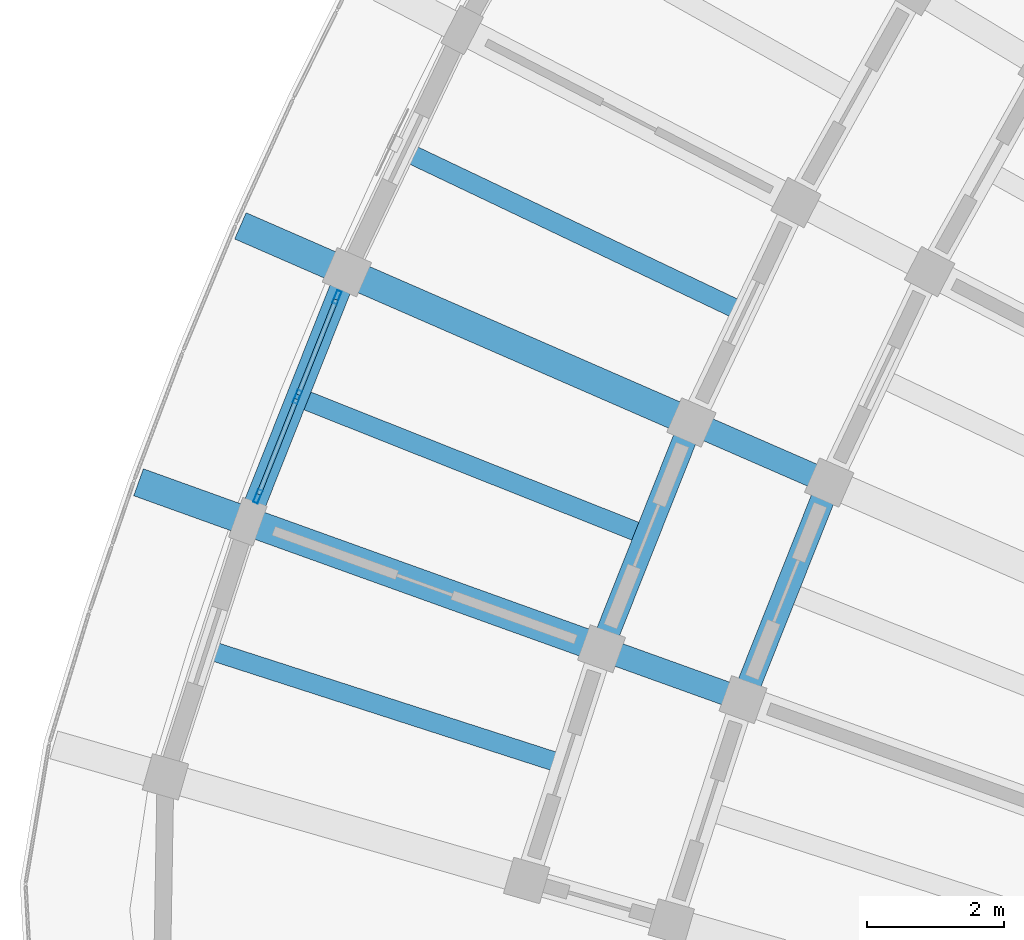
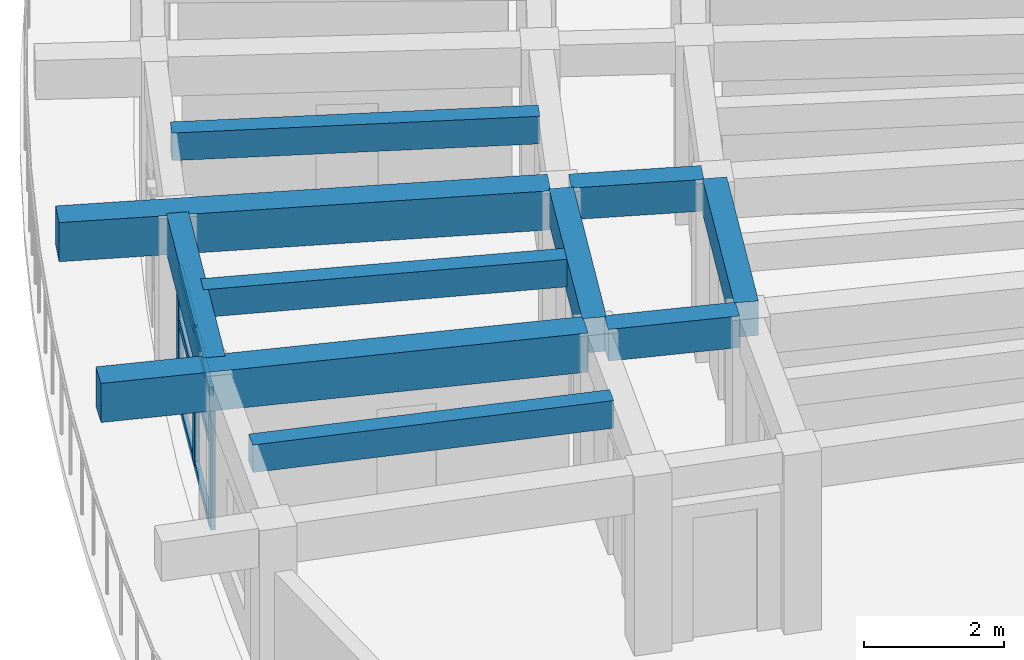
# One storey, part 9 of 81: 10 beams, 9 members, 1 element without a shape of its own.
"""IFC4 building model written with IfcOpenShell, lengths in metres."""

from ifc_helpers import new_model, si_unit, direction, frame, origin, origin_2d, place, context, subcontext, project, spatial, rectangle, hollow_rectangle, extrude, material, material_profile, profile_set, type_object, element, aggregate, save


model = new_model("IFC4")

# Units and contexts
model_context = context("Model", 3, precision=1e-05, world=origin(), true_north=direction((0.0, 1.0)))
body_context = subcontext(model_context, "Body", "Model", "MODEL_VIEW")
ifc_project = project(units=[si_unit("LENGTHUNIT", "METRE"), si_unit("AREAUNIT", "SQUARE_METRE"), si_unit("VOLUMEUNIT", "CUBIC_METRE"), si_unit("PLANEANGLEUNIT", "RADIAN"), si_unit("MASSUNIT", "GRAM", prefix="KILO")], contexts=[model_context])

# Site, building, storey
site_placement = place(None, origin())
site = spatial("IfcSite", under=ifc_project, at=site_placement, CompositionType="ELEMENT")
building_placement = place(site_placement, origin())
building = spatial("IfcBuilding", under=site, at=building_placement, Name="Tanwirah Colonnade Gardens", CompositionType="ELEMENT")
storey_placement = place(building_placement, frame((0.0, 0.0, 18.919921875)))
storey = spatial("IfcBuildingStorey", under=building, at=storey_placement, Name="L05", CompositionType="ELEMENT", Elevation=18.919921875)

# Beams
ifc_material_1 = material(Name="Precast concrete C40/50", Category="concrete")
ifc_material_profile_1 = material_profile(ifc_material_1, rectangle(XDim=0.35009765625, YDim=0.550048828125, at=origin_2d()), Name="PC-BM 350x550")
ifc_profile_set_1 = profile_set([ifc_material_profile_1], Name="Precast concrete C40/50")
beam_type_1 = type_object("IfcBeamType", Name="BM-PC350A", PredefinedType="BEAM", material=ifc_profile_set_1)
for number, where, z_axis, x_axis, name in (
    (1, (17.3330078125, 80.981201171875, 2.8349609375), (-0.916681481826, 0.399618644306, 0.0), (-0.399618644306, -0.916681481826, 0.0), "Block A L05 Corridor Tie Beam 16"),
    (2, (16.0673828125, 77.79541015625, 2.8349609375), (-0.941021664552, 0.338346311999, 0.0), (-0.338346311999, -0.941021664552, 0.0), "Block A L05 Corridor Tie Beam 17"),
):
    element("IfcBeam", number, at=place(storey_placement, frame(where, z_axis=z_axis, x_axis=x_axis)), inside=storey, type_object=beam_type_1, Name=name, PredefinedType="BEAM", context=body_context, shape_type="SweptSolid", body=[
        extrude(rectangle(XDim=0.35009765625, YDim=0.550048828125, at=origin_2d()), origin(), (0.0, 0.0, 1.0), 1.89990234375),
    ])
ifc_material_profile_2 = material_profile(ifc_material_1, rectangle(XDim=0.35009765625, YDim=0.60009765625, at=origin_2d()), Name="PC-BM 350x600")
ifc_profile_set_2 = profile_set([ifc_material_profile_2], Name="Precast concrete C40/50")
beam_type_2 = type_object("IfcBeamType", Name="BM-PC350B", PredefinedType="BEAM", material=ifc_profile_set_2)
beam_1_placement = place(storey_placement, frame((17.4150390625, 80.78173828125, 2.81005859375), z_axis=(-0.369189105832, -0.929354294193, 0.0), x_axis=(0.929354294193, -0.369189105832, 0.0)))
element("IfcBeam", 3, at=beam_1_placement, inside=storey, type_object=beam_type_2, Name="Block A L05 Circumferential Beam 16-R1", PredefinedType="BEAM", context=body_context, shape_type="SweptSolid", body=[
    extrude(rectangle(XDim=0.35009765625, YDim=0.60009765625, at=origin_2d()), origin(), (0.0, 0.0, 1.0), 3.117919921875),
])
beam_2_placement = place(storey_placement, frame((15.3984375, 81.6611328125, 2.81005859375), z_axis=(-0.369209712056, -0.929346108037, 0.0), x_axis=(0.929346108037, -0.369209712056, 0.0)))
element("IfcBeam", 4, at=beam_2_placement, inside=storey, type_object=beam_type_2, Name="Block A L05 Circumferential Beam 16-R2", PredefinedType="BEAM", context=body_context, shape_type="SweptSolid", body=[
    extrude(rectangle(XDim=0.35009765625, YDim=0.60009765625, at=origin_2d()), origin(), (0.0, 0.0, 1.0), 3.26318359375),
])
ifc_material_2 = material(Name="Precast concrete C45/55", Category="concrete")
ifc_material_profile_3 = material_profile(ifc_material_2, rectangle(XDim=0.419921875, YDim=0.679931640625, at=origin_2d()), Name="PC-BM 420x680")
ifc_profile_set_3 = profile_set([ifc_material_profile_3], Name="Precast concrete C45/55")
beam_type_3 = type_object("IfcBeamType", Name="BM-PC420", PredefinedType="BEAM", material=ifc_profile_set_3)
beam_3_placement = place(storey_placement, frame((15.31640625, 81.8603515625, 2.77001953125), z_axis=(-0.916678725612, 0.399624966702, 0.0), x_axis=(-0.399624966702, -0.916678725612, 0.0)))
element("IfcBeam", 5, at=beam_3_placement, inside=storey, type_object=beam_type_3, Name="Block A L05 Outer Radial Precast Girder 16", PredefinedType="BEAM", context=body_context, shape_type="SweptSolid", body=[
    extrude(rectangle(XDim=0.419921875, YDim=0.679931640625, at=origin_2d()), origin(), (0.0, 0.0, 1.0), 7.050048828125),
])
beam_4_placement = place(storey_placement, frame((13.9970703125, 78.539794921875, 2.77001953125), z_axis=(-0.941011841171, 0.338373631917, 0.0), x_axis=(-0.338373631917, -0.941011841171, 0.0)))
element("IfcBeam", 6, at=beam_4_placement, inside=storey, type_object=beam_type_3, Name="Block A L05 Outer Radial Precast Girder 17", PredefinedType="BEAM", context=body_context, shape_type="SweptSolid", body=[
    extrude(rectangle(XDim=0.419921875, YDim=0.679931640625, at=origin_2d()), origin(), (0.0, 0.0, 1.0), 7.0498046875),
])

# Curtain wall, members
ifc_material_3 = material(Name="Bronze-anodised aluminium and solar-control low-E glass", Category="aluminium")
curtain_wall_type = type_object("IfcCurtainWallType", Name="CW-LOB", PredefinedType="NOTDEFINED", material=ifc_material_3)
curtain_wall_placement = place(storey_placement, origin())
curtain_wall = element("IfcCurtainWall", 7, at=curtain_wall_placement, inside=storey, type_object=curtain_wall_type, Name="Curtain Wall CW-A-L05-OUT-16", PredefinedType="NOTDEFINED")
ifc_material_4 = material(Name="Bronze-anodised aluminium", Category="aluminium")
ifc_material_profile_4 = material_profile(ifc_material_4, hollow_rectangle(XDim=0.070068359375, YDim=0.199951171875, WallThickness=0.00390625, at=origin_2d()), Name="CW-MUL 70x200x4")
ifc_profile_set_4 = profile_set([ifc_material_profile_4], Name="Bronze-anodised aluminium")
member_type_1 = type_object("IfcMemberType", Name="CWM-70x200", PredefinedType="MULLION", material=ifc_profile_set_4)
member_1_placement = place(storey_placement, frame((10.266357421875, 83.63134765625, 0.0), z_axis=(0.0, 0.0, 1.0), x_axis=(0.929346924976, -0.369207655713, 0.0)))
member_1 = element("IfcMember", 8, at=member_1_placement, type_object=member_type_1, Name="CW-LOB mullion 1", PredefinedType="MULLION", context=body_context, shape_type="SweptSolid", body=[
    extrude(hollow_rectangle(XDim=0.070068359375, YDim=0.199951171875, WallThickness=0.00390625, at=origin_2d()), origin(), (0.0, 0.0, 1.0), 2.35498046875),
])
member_2_placement = place(storey_placement, frame((9.6875, 82.17431640625, 0.0), z_axis=(0.0, 0.0, 1.0), x_axis=(0.929346924976, -0.369207655713, 0.0)))
member_2 = element("IfcMember", 9, at=member_2_placement, type_object=member_type_1, Name="CW-LOB mullion 2", PredefinedType="MULLION", context=body_context, shape_type="SweptSolid", body=[
    extrude(hollow_rectangle(XDim=0.070068359375, YDim=0.199951171875, WallThickness=0.00390625, at=origin_2d()), origin(), (0.0, 0.0, 1.0), 2.35498046875),
])
member_3_placement = place(storey_placement, frame((9.108642578125, 80.71728515625, 0.0), z_axis=(0.0, 0.0, 1.0), x_axis=(0.929346924976, -0.369207655713, 0.0)))
member_3 = element("IfcMember", 10, at=member_3_placement, type_object=member_type_1, Name="CW-LOB mullion 3", PredefinedType="MULLION", context=body_context, shape_type="SweptSolid", body=[
    extrude(hollow_rectangle(XDim=0.070068359375, YDim=0.199951171875, WallThickness=0.00390625, at=origin_2d()), origin(), (0.0, 0.0, 1.0), 2.35498046875),
])
ifc_material_profile_5 = material_profile(ifc_material_4, hollow_rectangle(XDim=0.070068359375, YDim=0.14990234375, WallThickness=0.00390625, at=origin_2d()), Name="CW-TRN 70x150x4")
ifc_profile_set_5 = profile_set([ifc_material_profile_5], Name="Bronze-anodised aluminium")
member_type_2 = type_object("IfcMemberType", Name="CWT-70x150", PredefinedType="USERDEFINED", material=ifc_profile_set_5)
member_4_placement = place(storey_placement, frame((10.25341796875, 83.598876953125, 0.03515625), z_axis=(-0.369169595084, -0.929362044666, 0.0), x_axis=(0.929362044666, -0.369169595084, 0.0)))
member_4 = element("IfcMember", 11, at=member_4_placement, type_object=member_type_2, Name="CW-LOB transom 1.1", ObjectType="TRANSOM", PredefinedType="USERDEFINED", context=body_context, shape_type="SweptSolid", body=[
    extrude(hollow_rectangle(XDim=0.070068359375, YDim=0.14990234375, WallThickness=0.00390625, at=origin_2d()), origin(), (0.0, 0.0, 1.0), 1.497802734375),
])
member_5_placement = place(storey_placement, frame((10.25341796875, 83.598876953125, 1.460205078125), z_axis=(-0.369169595084, -0.929362044666, 0.0), x_axis=(0.929362044666, -0.369169595084, 0.0)))
member_5 = element("IfcMember", 12, at=member_5_placement, type_object=member_type_2, Name="CW-LOB transom 1.2", ObjectType="TRANSOM", PredefinedType="USERDEFINED", context=body_context, shape_type="SweptSolid", body=[
    extrude(hollow_rectangle(XDim=0.070068359375, YDim=0.14990234375, WallThickness=0.00390625, at=origin_2d()), origin(), (0.0, 0.0, 1.0), 1.497802734375),
])
member_6_placement = place(storey_placement, frame((10.25341796875, 83.598876953125, 2.320068359375), z_axis=(-0.369169595084, -0.929362044666, 0.0), x_axis=(0.929362044666, -0.369169595084, 0.0)))
member_6 = element("IfcMember", 13, at=member_6_placement, type_object=member_type_2, Name="CW-LOB transom 1.3", ObjectType="TRANSOM", PredefinedType="USERDEFINED", context=body_context, shape_type="SweptSolid", body=[
    extrude(hollow_rectangle(XDim=0.070068359375, YDim=0.14990234375, WallThickness=0.00390625, at=origin_2d()), origin(), (0.0, 0.0, 1.0), 1.497802734375),
])
member_7_placement = place(storey_placement, frame((9.674560546875, 82.141845703125, 0.03515625), z_axis=(-0.369169595084, -0.929362044666, 0.0), x_axis=(0.929362044666, -0.369169595084, 0.0)))
member_7 = element("IfcMember", 14, at=member_7_placement, type_object=member_type_2, Name="CW-LOB transom 2.1", ObjectType="TRANSOM", PredefinedType="USERDEFINED", context=body_context, shape_type="SweptSolid", body=[
    extrude(hollow_rectangle(XDim=0.070068359375, YDim=0.14990234375, WallThickness=0.00390625, at=origin_2d()), origin(), (0.0, 0.0, 1.0), 1.497802734375),
])
member_8_placement = place(storey_placement, frame((9.674560546875, 82.141845703125, 1.460205078125), z_axis=(-0.369169595084, -0.929362044666, 0.0), x_axis=(0.929362044666, -0.369169595084, 0.0)))
member_8 = element("IfcMember", 15, at=member_8_placement, type_object=member_type_2, Name="CW-LOB transom 2.2", ObjectType="TRANSOM", PredefinedType="USERDEFINED", context=body_context, shape_type="SweptSolid", body=[
    extrude(hollow_rectangle(XDim=0.070068359375, YDim=0.14990234375, WallThickness=0.00390625, at=origin_2d()), origin(), (0.0, 0.0, 1.0), 1.497802734375),
])
member_9_placement = place(storey_placement, frame((9.674560546875, 82.141845703125, 2.320068359375), z_axis=(-0.369169595084, -0.929362044666, 0.0), x_axis=(0.929362044666, -0.369169595084, 0.0)))
member_9 = element("IfcMember", 16, at=member_9_placement, type_object=member_type_2, Name="CW-LOB transom 2.3", ObjectType="TRANSOM", PredefinedType="USERDEFINED", context=body_context, shape_type="SweptSolid", body=[
    extrude(hollow_rectangle(XDim=0.070068359375, YDim=0.14990234375, WallThickness=0.00390625, at=origin_2d()), origin(), (0.0, 0.0, 1.0), 1.497802734375),
])
aggregate(curtain_wall, [member_1, member_2, member_3, member_4, member_5, member_6, member_7, member_8, member_9])

# Beams
ifc_material_profile_6 = material_profile(ifc_material_1, rectangle(XDim=0.280029296875, YDim=0.47998046875, at=origin_2d()), Name="PC-JST 280x480")
ifc_profile_set_6 = profile_set([ifc_material_profile_6], Name="Precast concrete C40/50")
beam_type_4 = type_object("IfcBeamType", Name="JST-PC280", PredefinedType="JOIST", material=ifc_profile_set_6)
beam_5_placement = place(storey_placement, frame((16.08447265625, 83.473388671875, 2.8701171875), z_axis=(-0.903018314862, 0.429602051931, 0.0), x_axis=(-0.429602051931, -0.903018314862, 0.0)))
element("IfcBeam", 17, at=beam_5_placement, inside=storey, type_object=beam_type_4, Name="Block A L05 Precast Floor Joist 15", PredefinedType="JOIST", context=body_context, shape_type="SweptSolid", body=[
    extrude(rectangle(XDim=0.280029296875, YDim=0.47998046875, at=origin_2d()), origin(), (0.0, 0.0, 1.0), 5.26025390625),
])
beam_6_placement = place(storey_placement, frame((14.6572265625, 80.199951171875, 2.8701171875), z_axis=(-0.929357539836, 0.369180935517, 0.0), x_axis=(-0.369180935517, -0.929357539836, 0.0)))
element("IfcBeam", 18, at=beam_6_placement, inside=storey, type_object=beam_type_4, Name="Block A L05 Precast Floor Joist 16", PredefinedType="JOIST", context=body_context, shape_type="SweptSolid", body=[
    extrude(rectangle(XDim=0.280029296875, YDim=0.47998046875, at=origin_2d()), origin(), (0.0, 0.0, 1.0), 5.260009765625),
])
beam_7_placement = place(storey_placement, frame((13.448974609375, 76.839599609375, 2.8701171875), z_axis=(-0.951656985441, 0.307162794072, 0.0), x_axis=(-0.307162794072, -0.951656985441, 0.0)))
element("IfcBeam", 19, at=beam_7_placement, inside=storey, type_object=beam_type_4, Name="Block A L05 Precast Floor Joist 17", PredefinedType="JOIST", context=body_context, shape_type="SweptSolid", body=[
    extrude(rectangle(XDim=0.280029296875, YDim=0.47998046875, at=origin_2d()), origin(), (0.0, 0.0, 1.0), 5.26025390625),
])
ifc_material_profile_7 = material_profile(ifc_material_2, rectangle(XDim=0.320068359375, YDim=0.679931640625, at=origin_2d()), Name="PC-SP 320x680")
ifc_profile_set_7 = profile_set([ifc_material_profile_7], Name="Precast concrete C45/55")
beam_type_5 = type_object("IfcBeamType", Name="SP-PC320", PredefinedType="SPANDREL", material=ifc_profile_set_7)
beam_8_placement = place(storey_placement, frame((10.356689453125, 83.859130859375, 2.77001953125), z_axis=(-0.369195460985, -0.929351769562, 0.0), x_axis=(0.929351769562, -0.369195460985, 0.0)))
element("IfcBeam", 20, at=beam_8_placement, inside=storey, type_object=beam_type_5, Name="Block A L05 Circumferential Beam 16-R3", PredefinedType="SPANDREL", context=body_context, shape_type="SweptSolid", body=[
    extrude(rectangle(XDim=0.320068359375, YDim=0.679931640625, at=origin_2d()), origin(), (0.0, 0.0, 1.0), 3.625732421875),
])

save(model, "model.ifc")
